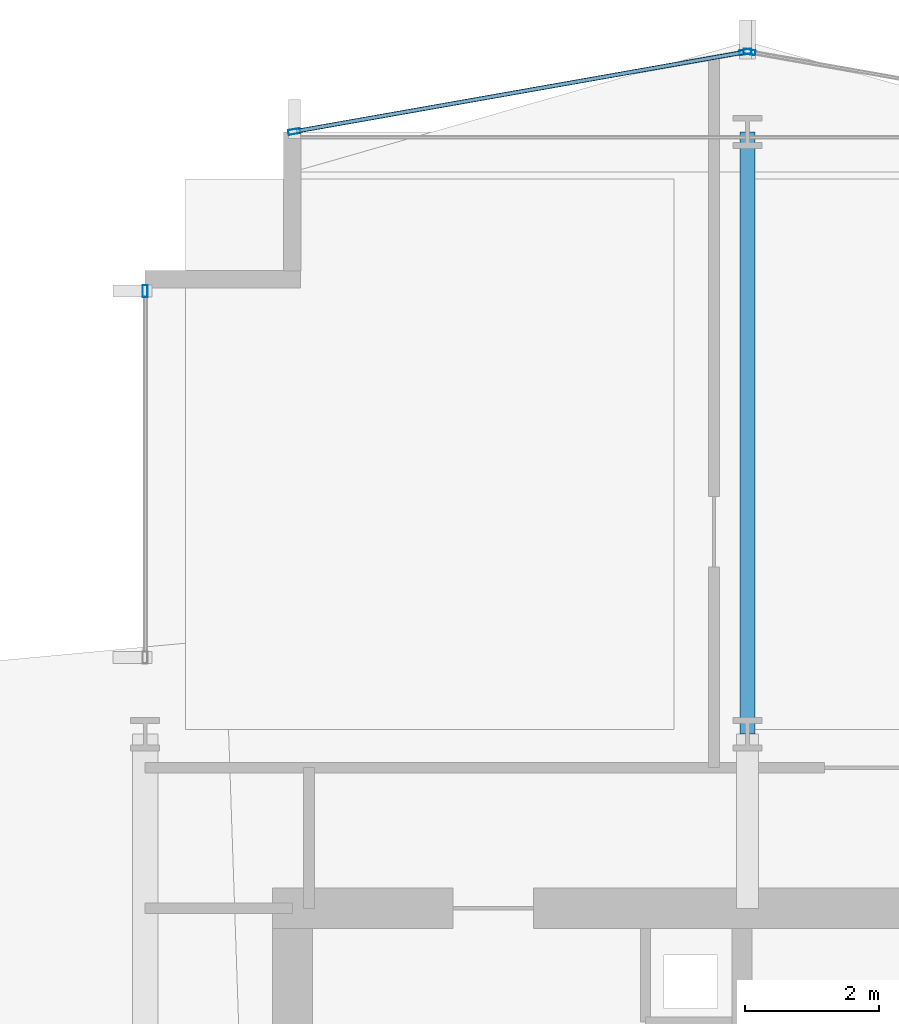
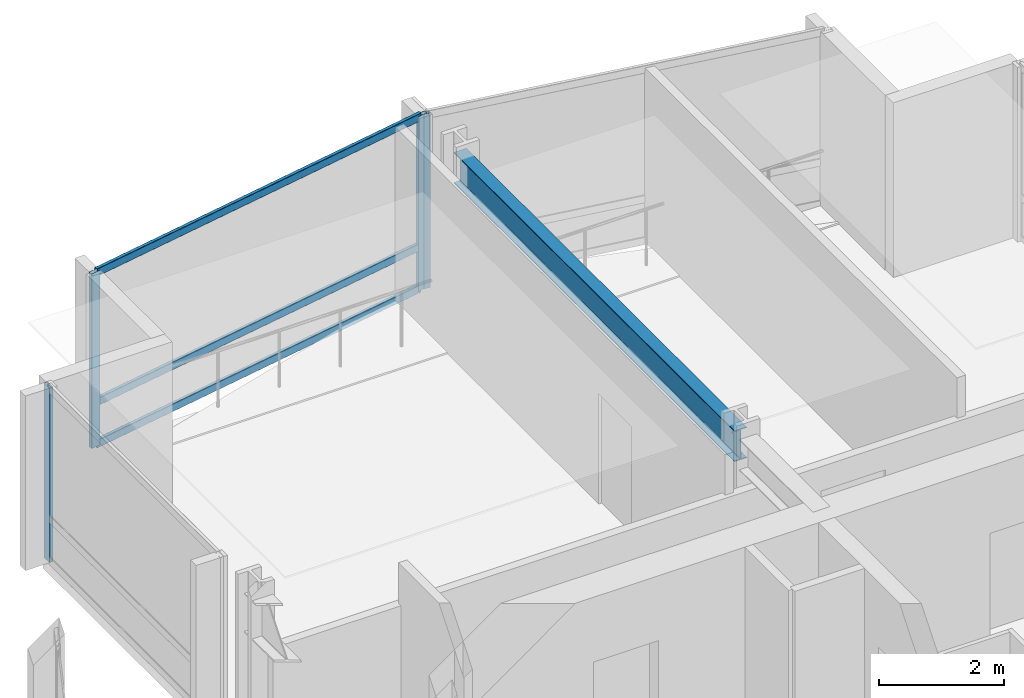
# One storey, part 23 of 34: 7 members, 1 beam, 3 elements without a shape of their own.
"""IFC4 building model written with IfcOpenShell, lengths in metres."""

from ifc_helpers import new_model, si_unit, direction, frame, origin, origin_2d, place, context, subcontext, project, spatial, hollow_rectangle, i_section, extrude, material, layer, layer_set, material_profile, profile_set, type_object, element, aggregate, save


model = new_model("IFC4")

# Units and contexts
model_context = context("Model", 3, precision=1e-05, world=origin(), true_north=direction((0.0, 1.0)))
body_context = subcontext(model_context, "Body", "Model", "MODEL_VIEW")
ifc_project = project(units=[si_unit("LENGTHUNIT", "METRE"), si_unit("AREAUNIT", "SQUARE_METRE"), si_unit("VOLUMEUNIT", "CUBIC_METRE"), si_unit("PLANEANGLEUNIT", "RADIAN"), si_unit("MASSUNIT", "GRAM", prefix="KILO")], contexts=[model_context])

# Site, building, storey
site_placement = place(None, origin())
site = spatial("IfcSite", under=ifc_project, at=site_placement, CompositionType="ELEMENT")
building_placement = place(site_placement, origin())
building = spatial("IfcBuilding", under=site, at=building_placement, Name="Solvaryn Broadcast Tower", CompositionType="ELEMENT")
storey_placement = place(building_placement, frame((0.0, 0.0, 65.60009765625)))
storey = spatial("IfcBuildingStorey", under=building, at=storey_placement, Name="L15", CompositionType="ELEMENT", Elevation=65.60009765625)

# Beam
ifc_material_1 = material(Name="Steel ASTM A992 Grade 50", Category="steel")
ifc_material_profile_1 = material_profile(ifc_material_1, i_section(OverallWidth=0.22802734375, OverallDepth=0.60791015625, WebThickness=0.01123046875, FlangeThickness=0.017333984375, FilletRadius=0.014892578125, at=origin_2d()))
ifc_profile_set_1 = profile_set([ifc_material_profile_1], Name="Steel ASTM A992 Grade 50")
beam_type = type_object("IfcBeamType", Name="BM-B2-W24X76", PredefinedType="BEAM", material=ifc_profile_set_1)
beam_placement = place(storey_placement, frame((18.0, 45.0, 3.115966796875), z_axis=(0.0, 1.0, 0.0), x_axis=(-1.0, 0.0, 0.0)))
element("IfcBeam", 1, at=beam_placement, inside=storey, type_object=beam_type, Name="L15 Primary Beam Y (45-54 @ X=18)", PredefinedType="BEAM", context=body_context, shape_type="SweptSolid", body=[
    extrude(i_section(OverallWidth=0.22802734375, OverallDepth=0.60791015625, WebThickness=0.01123046875, FlangeThickness=0.017333984375, FilletRadius=0.014892578125, at=origin_2d()), origin(), (0.0, 0.0, 1.0), 9.0),
])

# Curtain wall, member
ifc_material_2 = material(Name="Aluminium and Terracotta Unitised Curtain Wall", Category="masonry")
ifc_layer = layer(ifc_material_2, 0.199951171875)
ifc_layer_set = layer_set([ifc_layer], Name="CW-SYS2-LOWMID")
curtain_wall_type = type_object("IfcCurtainWallType", Name="CW-SYS2-LOWMID", PredefinedType="NOTDEFINED", material=ifc_layer_set)
curtain_wall_1_placement = place(storey_placement, origin())
curtain_wall_1 = element("IfcCurtainWall", 2, at=curtain_wall_1_placement, inside=storey, type_object=curtain_wall_type, Name="L15 Curtain Wall W2", PredefinedType="NOTDEFINED")
ifc_material_3 = material(Name="Anodised Aluminium 6063-T6", Category="aluminium")
ifc_material_profile_2 = material_profile(ifc_material_3, hollow_rectangle(XDim=0.074951171875, YDim=0.179931640625, WallThickness=0.00390625, InnerFilletRadius=0.00390625, OuterFilletRadius=0.008056640625, at=origin_2d()))
ifc_profile_set_2 = profile_set([ifc_material_profile_2], Name="Anodised Aluminium 6063-T6")
member_type_1 = type_object("IfcMemberType", Name="CW-MUL-180", PredefinedType="MULLION", material=ifc_profile_set_2)
member_1_placement = place(storey_placement, frame((9.0, 51.6201171875, 0.0), z_axis=(0.0, 0.0, 1.0), x_axis=(-1.0, 0.0, 0.0)))
member_1 = element("IfcMember", 3, at=member_1_placement, type_object=member_type_1, Name="CWS2 mullion 2", PredefinedType="MULLION", context=body_context, shape_type="SweptSolid", body=[
    extrude(hollow_rectangle(XDim=0.074951171875, YDim=0.179931640625, WallThickness=0.00390625, InnerFilletRadius=0.00390625, OuterFilletRadius=0.008056640625, at=origin_2d()), origin(), (0.0, 0.0, 1.0), 3.419921875),
])
aggregate(curtain_wall_1, [member_1])

curtain_wall_2_placement = place(storey_placement, origin())
curtain_wall_2 = element("IfcCurtainWall", 4, at=curtain_wall_2_placement, inside=storey, type_object=curtain_wall_type, Name="L15 Curtain Wall NT1", PredefinedType="NOTDEFINED")
member_2_placement = place(storey_placement, frame((18.029541015625, 55.19482421875, 0.0), z_axis=(0.0, 0.0, 1.0), x_axis=(-0.173785333901, -0.984783558819, 0.0)))
member_2 = element("IfcMember", 5, at=member_2_placement, type_object=member_type_1, Name="CWS2 mullion 2", PredefinedType="MULLION", context=body_context, shape_type="SweptSolid", body=[
    extrude(hollow_rectangle(XDim=0.074951171875, YDim=0.179931640625, WallThickness=0.00390625, InnerFilletRadius=0.00390625, OuterFilletRadius=0.008056640625, at=origin_2d()), origin(), (0.0, 0.0, 1.0), 3.419921875),
])
aggregate(curtain_wall_2, [member_2])

# Curtain wall, members
curtain_wall_3_placement = place(storey_placement, origin())
curtain_wall_3 = element("IfcCurtainWall", 6, at=curtain_wall_3_placement, inside=storey, type_object=curtain_wall_type, Name="L15 Curtain Wall NT2", PredefinedType="NOTDEFINED")
member_3_placement = place(storey_placement, frame((17.970458984375, 55.19482421875, 0.0), z_axis=(0.0, 0.0, 1.0), x_axis=(0.173785333901, -0.984783558819, 0.0)))
member_3 = element("IfcMember", 7, at=member_3_placement, type_object=member_type_1, Name="CWS2 mullion 1", PredefinedType="MULLION", context=body_context, shape_type="SweptSolid", body=[
    extrude(hollow_rectangle(XDim=0.074951171875, YDim=0.179931640625, WallThickness=0.00390625, InnerFilletRadius=0.00390625, OuterFilletRadius=0.008056640625, at=origin_2d()), origin(), (0.0, 0.0, 1.0), 3.419921875),
])
member_4_placement = place(storey_placement, frame((11.2294921875, 54.005126953125, 0.0), z_axis=(0.0, 0.0, 1.0), x_axis=(0.173785333901, -0.984783558819, 0.0)))
member_4 = element("IfcMember", 8, at=member_4_placement, type_object=member_type_1, Name="CWS2 mullion 2", PredefinedType="MULLION", context=body_context, shape_type="SweptSolid", body=[
    extrude(hollow_rectangle(XDim=0.074951171875, YDim=0.179931640625, WallThickness=0.00390625, InnerFilletRadius=0.00390625, OuterFilletRadius=0.008056640625, at=origin_2d()), origin(), (0.0, 0.0, 1.0), 3.419921875),
])
ifc_material_4 = material(Name="Anodised Aluminium 6063-T6", Category="aluminium")
ifc_material_profile_3 = material_profile(ifc_material_4, hollow_rectangle(XDim=0.06494140625, YDim=0.14990234375, WallThickness=0.00390625, InnerFilletRadius=0.00390625, OuterFilletRadius=0.008056640625, at=origin_2d()))
ifc_profile_set_3 = profile_set([ifc_material_profile_3], Name="Anodised Aluminium 6063-T6")
member_type_2 = type_object("IfcMemberType", Name="CW-TRN-150", PredefinedType="USERDEFINED", material=ifc_profile_set_3)
member_5_placement = place(storey_placement, frame((17.94091796875, 55.189453125, 0.02978515625), z_axis=(-0.984788629673, -0.173756596613, 0.0), x_axis=(0.173756596613, -0.984788629673, 0.0)))
member_5 = element("IfcMember", 9, at=member_5_placement, type_object=member_type_2, Name="CWS2 transom 1.1", ObjectType="TRANSOM", PredefinedType="USERDEFINED", context=body_context, shape_type="SweptSolid", body=[
    extrude(hollow_rectangle(XDim=0.06494140625, YDim=0.14990234375, WallThickness=0.00390625, InnerFilletRadius=0.00390625, OuterFilletRadius=0.008056640625, at=origin_2d()), origin(), (0.0, 0.0, 1.0), 6.78515625),
])
member_6_placement = place(storey_placement, frame((17.94091796875, 55.189453125, 0.849853515625), z_axis=(-0.984788629673, -0.173756596613, 0.0), x_axis=(0.173756596613, -0.984788629673, 0.0)))
member_6 = element("IfcMember", 10, at=member_6_placement, type_object=member_type_2, Name="CWS2 transom 1.2", ObjectType="TRANSOM", PredefinedType="USERDEFINED", context=body_context, shape_type="SweptSolid", body=[
    extrude(hollow_rectangle(XDim=0.06494140625, YDim=0.14990234375, WallThickness=0.00390625, InnerFilletRadius=0.00390625, OuterFilletRadius=0.008056640625, at=origin_2d()), origin(), (0.0, 0.0, 1.0), 6.78515625),
])
member_7_placement = place(storey_placement, frame((17.94091796875, 55.189453125, 3.389892578125), z_axis=(-0.984788629673, -0.173756596613, 0.0), x_axis=(0.173756596613, -0.984788629673, 0.0)))
member_7 = element("IfcMember", 11, at=member_7_placement, type_object=member_type_2, Name="CWS2 transom 1.3", ObjectType="TRANSOM", PredefinedType="USERDEFINED", context=body_context, shape_type="SweptSolid", body=[
    extrude(hollow_rectangle(XDim=0.06494140625, YDim=0.14990234375, WallThickness=0.00390625, InnerFilletRadius=0.00390625, OuterFilletRadius=0.008056640625, at=origin_2d()), origin(), (0.0, 0.0, 1.0), 6.78515625),
])
aggregate(curtain_wall_3, [member_3, member_4, member_5, member_6, member_7])

save(model, "model.ifc")
